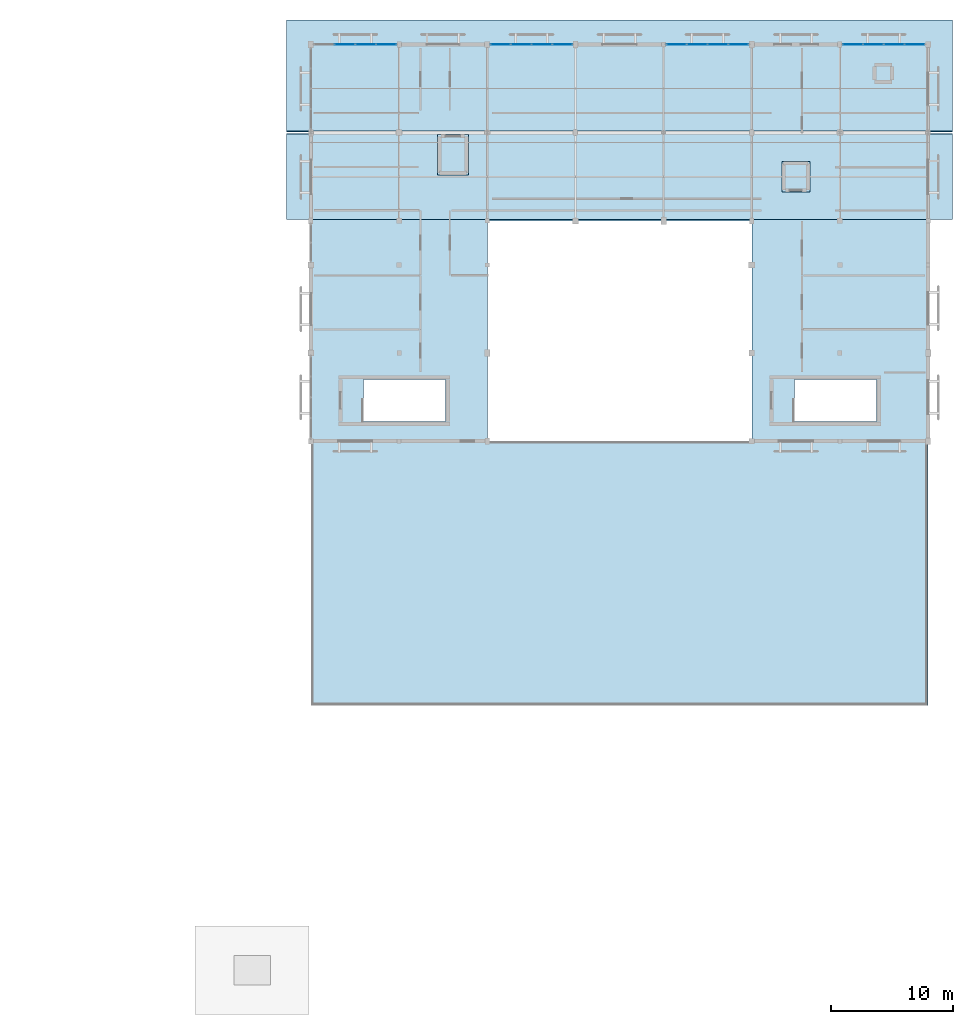
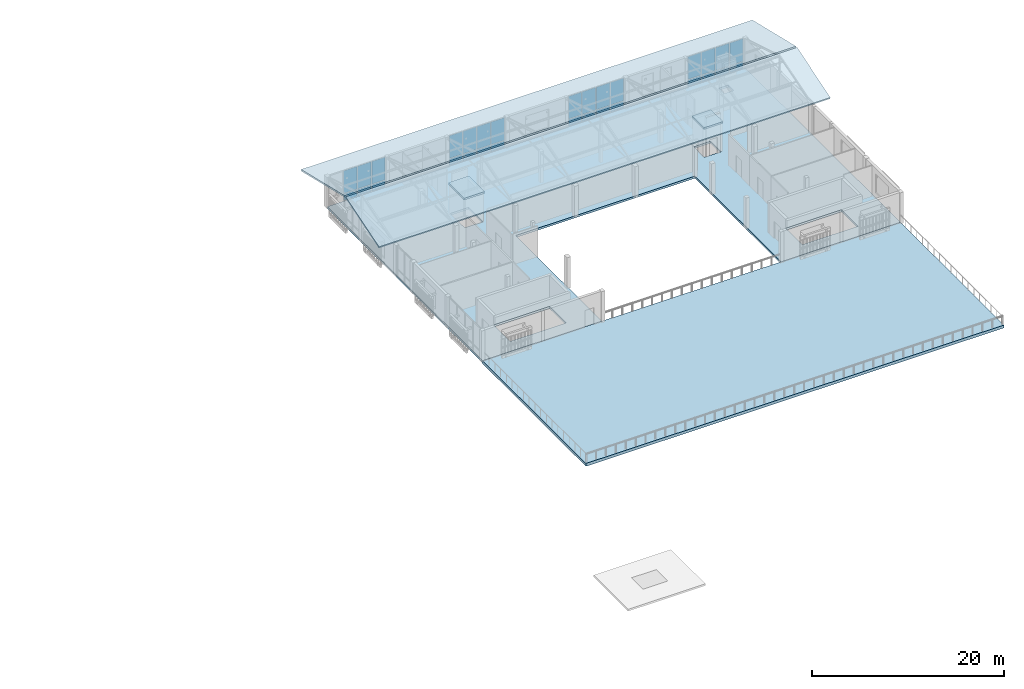
# One storey, part 44 of 61: 30 plates, 6 slabs, 4 elements without a shape of their own.
"""IFC4 building model written with IfcOpenShell, lengths in metres."""

from ifc_helpers import new_model, si_unit, direction, frame, origin, origin_2d, place, context, subcontext, project, spatial, polyline, rectangle, outline, extrude, material, layer, layer_set, type_object, element, aggregate, save


model = new_model("IFC4")

# Units and contexts
model_context = context("Model", 3, precision=1e-05, world=origin(), true_north=direction((0.0, 1.0)))
body_context = subcontext(model_context, "Body", "Model", "MODEL_VIEW")
ifc_project = project(units=[si_unit("LENGTHUNIT", "METRE"), si_unit("AREAUNIT", "SQUARE_METRE"), si_unit("VOLUMEUNIT", "CUBIC_METRE"), si_unit("PLANEANGLEUNIT", "RADIAN"), si_unit("MASSUNIT", "GRAM", prefix="KILO")], contexts=[model_context])

# Site, building, storey
site_placement = place(None, origin())
site = spatial("IfcSite", under=ifc_project, at=site_placement, CompositionType="ELEMENT")
building_placement = place(site_placement, origin())
building = spatial("IfcBuilding", under=site, at=building_placement, Name="Mazaris Harbour Polytechnic", CompositionType="ELEMENT")
storey_placement = place(building_placement, frame((0.0, 0.0, 18.0)))
storey = spatial("IfcBuildingStorey", under=building, at=storey_placement, Name="L04", CompositionType="ELEMENT", Elevation=18.0)

# Slabs
ifc_material_1 = material(Name="Glulam GL28h and Concrete C30/37", Category="concrete")
ifc_layer_1 = layer(ifc_material_1, 0.264892578125, Name="Glulam GL28h and Concrete C30/37")
ifc_layer_set_1 = layer_set([ifc_layer_1], Name="Glulam GL28h and Concrete C30/37")
slab_type_1 = type_object("IfcSlabType", Name="CLT Composite Floor 265", PredefinedType="FLOOR", material=ifc_layer_set_1)
slab_1_placement = place(storey_placement, frame((0.0, 0.0, -0.264892578125)))
element("IfcSlab", 1, at=slab_1_placement, inside=storey, type_object=slab_type_1, Name="V5 L04 Floor Slab", PredefinedType="FLOOR", context=body_context, shape_type="SweptSolid", body=[
    extrude(outline(polyline([(158.39990234375, 86.39990234375), (136.800048828125, 86.39990234375), (136.800048828125, 68.39990234375), (122.39990234375, 68.39990234375), (122.39990234375, 100.800048828125), (172.800048828125, 100.800048828125), (172.800048828125, 68.39990234375), (158.39990234375, 68.39990234375), (158.39990234375, 86.39990234375)]), holes=[polyline([(133.39990234375, 73.449951171875), (126.675048828125, 73.449951171875), (126.675048828125, 70.0), (133.39990234375, 70.0), (133.39990234375, 73.449951171875)]), polyline([(168.60009765625, 70.0), (168.60009765625, 73.449951171875), (161.875, 73.449951171875), (161.875, 70.0), (168.60009765625, 70.0)]), polyline([(132.89990234375, 90.300048828125), (135.10009765625, 90.300048828125), (135.10009765625, 93.300048828125), (132.89990234375, 93.300048828125), (132.89990234375, 90.300048828125)]), polyline([(161.0, 91.10009765625), (161.0, 88.89990234375), (163.0, 88.89990234375), (163.0, 91.10009765625), (161.0, 91.10009765625)]), polyline([(169.699951171875, 99.0), (168.580078125, 99.0), (168.580078125, 97.8798828125), (169.699951171875, 97.8798828125), (169.699951171875, 99.0)])]), origin(), (0.0, 0.0, 1.0), 0.264892578125),
])
ifc_material_2 = material(Name="Glulam GL28h and Concrete C30/37", Category="concrete")
ifc_layer_2 = layer(ifc_material_2, 0.239990234375, Name="Glulam GL28h and Concrete C30/37")
ifc_layer_set_2 = layer_set([ifc_layer_2], Name="Glulam GL28h and Concrete C30/37")
slab_type_2 = type_object("IfcSlabType", Name="Insulated Flat Roof Slab 240", PredefinedType="ROOF", material=ifc_layer_set_2)
slab_2_placement = place(storey_placement, frame((0.0, 0.0, 3.639892578125)))
element("IfcSlab", 2, at=slab_2_placement, inside=storey, type_object=slab_type_2, Name="Lift LF-02 Overrun Roof Cap", PredefinedType="ROOF", context=body_context, shape_type="SweptSolid", body=[
    extrude(outline(polyline([(135.25, 90.14990234375), (135.25, 93.449951171875), (132.75, 93.449951171875), (132.75, 90.14990234375), (135.25, 90.14990234375)])), origin(), (0.0, 0.0, 1.0), 0.239990234375),
])
slab_3_placement = place(storey_placement, frame((0.0, 0.0, 3.639892578125)))
element("IfcSlab", 3, at=slab_3_placement, inside=storey, type_object=slab_type_2, Name="Lift LP-04 Overrun Roof Cap", PredefinedType="ROOF", context=body_context, shape_type="SweptSolid", body=[
    extrude(outline(polyline([(163.14990234375, 88.75), (163.14990234375, 91.25), (160.85009765625, 91.25), (160.85009765625, 88.75), (163.14990234375, 88.75)])), origin(), (0.0, 0.0, 1.0), 0.239990234375),
])
ifc_material_3 = material(Name="Glulam GL28h", Category="wood")
ifc_layer_3 = layer(ifc_material_3, 0.205078125, Name="Glulam GL28h")
ifc_layer_set_3 = layer_set([ifc_layer_3], Name="Glulam GL28h")
slab_type_3 = type_object("IfcSlabType", Name="Pavilion Pitched Roof Deck 205", PredefinedType="ROOF", material=ifc_layer_set_3)
slab_4_placement = place(storey_placement, frame((120.39990234375, 86.52001953125, 4.219970703125), z_axis=(0.0, -0.296389731182, 0.955067079974), x_axis=(1.0, 0.0, 0.0)))
element("IfcSlab", 4, at=slab_4_placement, inside=storey, type_object=slab_type_3, Name="V5 Studio North-Light South Slope", PredefinedType="ROOF", context=body_context, shape_type="SweptSolid", body=[
    extrude(outline(polyline([(0.0, 0.0), (54.400146484375, 0.0), (54.400146484375, 7.2874053387848985), (0.0, 7.2874053387848985), (0.0, 0.0)])), origin(), (0.0, 0.0, -1.0), 0.205078125),
])
slab_5_placement = place(storey_placement, frame((120.39990234375, 93.719970703125, 6.3798828125), z_axis=(0.0, 0.231416593705, 0.972854747718), x_axis=(1.0, 0.0, 0.0)))
element("IfcSlab", 5, at=slab_5_placement, inside=storey, type_object=slab_type_3, Name="V5 Studio North-Light North Slope", PredefinedType="ROOF", context=body_context, shape_type="SweptSolid", body=[
    extrude(outline(polyline([(0.0, 0.0), (54.400146484375, 0.0), (54.400146484375, 9.333436616612783), (0.0, 9.333436616612783), (0.0, 0.0)])), origin(), (0.0, 0.0, -1.0), 0.205078125),
])
ifc_material_4 = material(Name="Concrete C35/45", Category="concrete")
ifc_layer_4 = layer(ifc_material_4, 0.364990234375, Name="Concrete C35/45")
ifc_layer_set_4 = layer_set([ifc_layer_4], Name="Concrete C35/45")
slab_type_4 = type_object("IfcSlabType", Name="Planted Roof Garden Deck 365", PredefinedType="FLOOR", material=ifc_layer_set_4)
slab_6_placement = place(storey_placement, frame((0.0, 0.0, -0.364990234375)))
element("IfcSlab", 6, at=slab_6_placement, inside=storey, type_object=slab_type_4, Name="V5 L04 Planted Roof Garden Slab", PredefinedType="FLOOR", context=body_context, shape_type="SweptSolid", body=[
    extrude(outline(polyline([(172.800048828125, 46.800048828125), (172.800048828125, 68.39990234375), (122.39990234375, 68.39990234375), (122.39990234375, 46.800048828125), (172.800048828125, 46.800048828125)])), origin(), (0.0, 0.0, 1.0), 0.364990234375),
])

# Curtain wall, plates
ifc_material_5 = material(Name="Anodised Bronze Aluminium and Low-E Glass", Category="aluminium")
ifc_layer_5 = layer(ifc_material_5, 0.169921875, Name="Anodised Bronze Aluminium and Low-E Glass")
ifc_layer_set_5 = layer_set([ifc_layer_5], Name="Anodised Bronze Aluminium and Low-E Glass")
curtain_wall_type = type_object("IfcCurtainWallType", Name="Studio North-Light Curtain Wall", PredefinedType="NOTDEFINED", material=ifc_layer_set_5)
curtain_wall_1_placement = place(storey_placement, origin())
curtain_wall_1 = element("IfcCurtainWall", 7, at=curtain_wall_1_placement, inside=storey, type_object=curtain_wall_type, Name="V5 L04 Curtain Wall 271", PredefinedType="NOTDEFINED")
ifc_material_6 = material(Name="Solar-Control Low-E Glazing", Category="glass")
ifc_layer_6 = layer(ifc_material_6, 0.031982421875, Name="Solar-Control Low-E Glazing")
ifc_layer_set_6 = layer_set([ifc_layer_6], Name="Solar-Control Low-E Glazing")
plate_type = type_object("IfcPlateType", Name="Solar Control Studio Glass Panel 32", PredefinedType="CURTAIN_PANEL", material=ifc_layer_set_6)
plate_1_placement = place(storey_placement, frame((125.16796875, 100.800048828125, 0.080078125), z_axis=(0.0, 0.0, 1.0), x_axis=(1.0, 0.0, 0.0)))
plate_1 = element("IfcPlate", 8, at=plate_1_placement, type_object=plate_type, Name="CW-03 panel 2.1", PredefinedType="CURTAIN_PANEL", context=body_context, shape_type="SweptSolid", body=[
    extrude(rectangle(XDim=1.6240234375, YDim=0.031982421875, at=origin_2d()), origin(), (0.0, 0.0, 1.0), 0.830078125),
])
plate_2_placement = place(storey_placement, frame((125.16796875, 100.800048828125, 0.990234375), z_axis=(0.0, 0.0, 1.0), x_axis=(1.0, 0.0, 0.0)))
plate_2 = element("IfcPlate", 9, at=plate_2_placement, type_object=plate_type, Name="CW-03 panel 2.2", PredefinedType="CURTAIN_PANEL", context=body_context, shape_type="SweptSolid", body=[
    extrude(rectangle(XDim=1.6240234375, YDim=0.031982421875, at=origin_2d()), origin(), (0.0, 0.0, 1.0), 2.889892578125),
])
plate_3_placement = place(storey_placement, frame((126.8720703125, 100.800048828125, 0.080078125), z_axis=(0.0, 0.0, 1.0), x_axis=(1.0, 0.0, 0.0)))
plate_3 = element("IfcPlate", 10, at=plate_3_placement, type_object=plate_type, Name="CW-03 panel 3.1", PredefinedType="CURTAIN_PANEL", context=body_context, shape_type="SweptSolid", body=[
    extrude(rectangle(XDim=1.6240234375, YDim=0.031982421875, at=origin_2d()), origin(), (0.0, 0.0, 1.0), 0.830078125),
])
plate_4_placement = place(storey_placement, frame((126.8720703125, 100.800048828125, 0.990234375), z_axis=(0.0, 0.0, 1.0), x_axis=(1.0, 0.0, 0.0)))
plate_4 = element("IfcPlate", 11, at=plate_4_placement, type_object=plate_type, Name="CW-03 panel 3.2", PredefinedType="CURTAIN_PANEL", context=body_context, shape_type="SweptSolid", body=[
    extrude(rectangle(XDim=1.6240234375, YDim=0.031982421875, at=origin_2d()), origin(), (0.0, 0.0, 1.0), 2.889892578125),
])
plate_5_placement = place(storey_placement, frame((128.555908203125, 100.800048828125, 0.080078125), z_axis=(0.0, 0.0, 1.0), x_axis=(1.0, 0.0, 0.0)))
plate_5 = element("IfcPlate", 12, at=plate_5_placement, type_object=plate_type, Name="CW-03 panel 4.1", PredefinedType="CURTAIN_PANEL", context=body_context, shape_type="SweptSolid", body=[
    extrude(rectangle(XDim=1.583984375, YDim=0.031982421875, at=origin_2d()), origin(), (0.0, 0.0, 1.0), 0.830078125),
])
plate_6_placement = place(storey_placement, frame((128.555908203125, 100.800048828125, 0.990234375), z_axis=(0.0, 0.0, 1.0), x_axis=(1.0, 0.0, 0.0)))
plate_6 = element("IfcPlate", 13, at=plate_6_placement, type_object=plate_type, Name="CW-03 panel 4.2", PredefinedType="CURTAIN_PANEL", context=body_context, shape_type="SweptSolid", body=[
    extrude(rectangle(XDim=1.583984375, YDim=0.031982421875, at=origin_2d()), origin(), (0.0, 0.0, 1.0), 2.889892578125),
])
aggregate(curtain_wall_1, [plate_1, plate_2, plate_3, plate_4, plate_5, plate_6])

curtain_wall_2_placement = place(storey_placement, origin())
curtain_wall_2 = element("IfcCurtainWall", 14, at=curtain_wall_2_placement, inside=storey, type_object=curtain_wall_type, Name="V5 L04 Curtain Wall 272", PredefinedType="NOTDEFINED")
plate_7_placement = place(storey_placement, frame((137.89013671875, 100.800048828125, 0.080078125), z_axis=(0.0, 0.0, 1.0), x_axis=(1.0, 0.0, 0.0)))
plate_7 = element("IfcPlate", 15, at=plate_7_placement, type_object=plate_type, Name="CW-03 panel 1.1", PredefinedType="CURTAIN_PANEL", context=body_context, shape_type="SweptSolid", body=[
    extrude(rectangle(XDim=1.576416015625, YDim=0.031982421875, at=origin_2d()), origin(), (0.0, 0.0, 1.0), 0.830078125),
])
plate_8_placement = place(storey_placement, frame((137.89013671875, 100.800048828125, 0.990234375), z_axis=(0.0, 0.0, 1.0), x_axis=(1.0, 0.0, 0.0)))
plate_8 = element("IfcPlate", 16, at=plate_8_placement, type_object=plate_type, Name="CW-03 panel 1.2", PredefinedType="CURTAIN_PANEL", context=body_context, shape_type="SweptSolid", body=[
    extrude(rectangle(XDim=1.576416015625, YDim=0.031982421875, at=origin_2d()), origin(), (0.0, 0.0, 1.0), 2.889892578125),
])
plate_9_placement = place(storey_placement, frame((139.566650390625, 100.800048828125, 0.080078125), z_axis=(0.0, 0.0, 1.0), x_axis=(1.0, 0.0, 0.0)))
plate_9 = element("IfcPlate", 17, at=plate_9_placement, type_object=plate_type, Name="CW-03 panel 2.1", PredefinedType="CURTAIN_PANEL", context=body_context, shape_type="SweptSolid", body=[
    extrude(rectangle(XDim=1.616455078125, YDim=0.031982421875, at=origin_2d()), origin(), (0.0, 0.0, 1.0), 0.830078125),
])
plate_10_placement = place(storey_placement, frame((139.566650390625, 100.800048828125, 0.990234375), z_axis=(0.0, 0.0, 1.0), x_axis=(1.0, 0.0, 0.0)))
plate_10 = element("IfcPlate", 18, at=plate_10_placement, type_object=plate_type, Name="CW-03 panel 2.2", PredefinedType="CURTAIN_PANEL", context=body_context, shape_type="SweptSolid", body=[
    extrude(rectangle(XDim=1.616455078125, YDim=0.031982421875, at=origin_2d()), origin(), (0.0, 0.0, 1.0), 2.889892578125),
])
plate_11_placement = place(storey_placement, frame((141.26318359375, 100.800048828125, 0.080078125), z_axis=(0.0, 0.0, 1.0), x_axis=(1.0, 0.0, 0.0)))
plate_11 = element("IfcPlate", 19, at=plate_11_placement, type_object=plate_type, Name="CW-03 panel 3.1", PredefinedType="CURTAIN_PANEL", context=body_context, shape_type="SweptSolid", body=[
    extrude(rectangle(XDim=1.616455078125, YDim=0.031982421875, at=origin_2d()), origin(), (0.0, 0.0, 1.0), 0.830078125),
])
plate_12_placement = place(storey_placement, frame((141.26318359375, 100.800048828125, 0.990234375), z_axis=(0.0, 0.0, 1.0), x_axis=(1.0, 0.0, 0.0)))
plate_12 = element("IfcPlate", 20, at=plate_12_placement, type_object=plate_type, Name="CW-03 panel 3.2", PredefinedType="CURTAIN_PANEL", context=body_context, shape_type="SweptSolid", body=[
    extrude(rectangle(XDim=1.616455078125, YDim=0.031982421875, at=origin_2d()), origin(), (0.0, 0.0, 1.0), 2.889892578125),
])
plate_13_placement = place(storey_placement, frame((142.939697265625, 100.800048828125, 0.080078125), z_axis=(0.0, 0.0, 1.0), x_axis=(1.0, 0.0, 0.0)))
plate_13 = element("IfcPlate", 21, at=plate_13_placement, type_object=plate_type, Name="CW-03 panel 4.1", PredefinedType="CURTAIN_PANEL", context=body_context, shape_type="SweptSolid", body=[
    extrude(rectangle(XDim=1.576416015625, YDim=0.031982421875, at=origin_2d()), origin(), (0.0, 0.0, 1.0), 0.830078125),
])
plate_14_placement = place(storey_placement, frame((142.939697265625, 100.800048828125, 0.990234375), z_axis=(0.0, 0.0, 1.0), x_axis=(1.0, 0.0, 0.0)))
plate_14 = element("IfcPlate", 22, at=plate_14_placement, type_object=plate_type, Name="CW-03 panel 4.2", PredefinedType="CURTAIN_PANEL", context=body_context, shape_type="SweptSolid", body=[
    extrude(rectangle(XDim=1.576416015625, YDim=0.031982421875, at=origin_2d()), origin(), (0.0, 0.0, 1.0), 2.889892578125),
])
aggregate(curtain_wall_2, [plate_7, plate_8, plate_9, plate_10, plate_11, plate_12, plate_13, plate_14])

curtain_wall_3_placement = place(storey_placement, origin())
curtain_wall_3 = element("IfcCurtainWall", 23, at=curtain_wall_3_placement, inside=storey, type_object=curtain_wall_type, Name="V5 L04 Curtain Wall 273", PredefinedType="NOTDEFINED")
plate_15_placement = place(storey_placement, frame((152.252685546875, 100.800048828125, 0.080078125), z_axis=(0.0, 0.0, 1.0), x_axis=(1.0, 0.0, 0.0)))
plate_15 = element("IfcPlate", 24, at=plate_15_placement, type_object=plate_type, Name="CW-03 panel 1.1", PredefinedType="CURTAIN_PANEL", context=body_context, shape_type="SweptSolid", body=[
    extrude(rectangle(XDim=1.58154296875, YDim=0.031982421875, at=origin_2d()), origin(), (0.0, 0.0, 1.0), 0.830078125),
])
plate_16_placement = place(storey_placement, frame((152.252685546875, 100.800048828125, 0.990234375), z_axis=(0.0, 0.0, 1.0), x_axis=(1.0, 0.0, 0.0)))
plate_16 = element("IfcPlate", 25, at=plate_16_placement, type_object=plate_type, Name="CW-03 panel 1.2", PredefinedType="CURTAIN_PANEL", context=body_context, shape_type="SweptSolid", body=[
    extrude(rectangle(XDim=1.58154296875, YDim=0.031982421875, at=origin_2d()), origin(), (0.0, 0.0, 1.0), 2.889892578125),
])
plate_17_placement = place(storey_placement, frame((153.934326171875, 100.800048828125, 0.080078125), z_axis=(0.0, 0.0, 1.0), x_axis=(1.0, 0.0, 0.0)))
plate_17 = element("IfcPlate", 26, at=plate_17_placement, type_object=plate_type, Name="CW-03 panel 2.1", PredefinedType="CURTAIN_PANEL", context=body_context, shape_type="SweptSolid", body=[
    extrude(rectangle(XDim=1.62158203125, YDim=0.031982421875, at=origin_2d()), origin(), (0.0, 0.0, 1.0), 0.830078125),
])
plate_18_placement = place(storey_placement, frame((153.934326171875, 100.800048828125, 0.990234375), z_axis=(0.0, 0.0, 1.0), x_axis=(1.0, 0.0, 0.0)))
plate_18 = element("IfcPlate", 27, at=plate_18_placement, type_object=plate_type, Name="CW-03 panel 2.2", PredefinedType="CURTAIN_PANEL", context=body_context, shape_type="SweptSolid", body=[
    extrude(rectangle(XDim=1.62158203125, YDim=0.031982421875, at=origin_2d()), origin(), (0.0, 0.0, 1.0), 2.889892578125),
])
plate_19_placement = place(storey_placement, frame((155.6357421875, 100.800048828125, 0.080078125), z_axis=(0.0, 0.0, 1.0), x_axis=(1.0, 0.0, 0.0)))
plate_19 = element("IfcPlate", 28, at=plate_19_placement, type_object=plate_type, Name="CW-03 panel 3.1", PredefinedType="CURTAIN_PANEL", context=body_context, shape_type="SweptSolid", body=[
    extrude(rectangle(XDim=1.62158203125, YDim=0.031982421875, at=origin_2d()), origin(), (0.0, 0.0, 1.0), 0.830078125),
])
plate_20_placement = place(storey_placement, frame((155.6357421875, 100.800048828125, 0.990234375), z_axis=(0.0, 0.0, 1.0), x_axis=(1.0, 0.0, 0.0)))
plate_20 = element("IfcPlate", 29, at=plate_20_placement, type_object=plate_type, Name="CW-03 panel 3.2", PredefinedType="CURTAIN_PANEL", context=body_context, shape_type="SweptSolid", body=[
    extrude(rectangle(XDim=1.62158203125, YDim=0.031982421875, at=origin_2d()), origin(), (0.0, 0.0, 1.0), 2.889892578125),
])
plate_21_placement = place(storey_placement, frame((157.317138671875, 100.800048828125, 0.080078125), z_axis=(0.0, 0.0, 1.0), x_axis=(1.0, 0.0, 0.0)))
plate_21 = element("IfcPlate", 30, at=plate_21_placement, type_object=plate_type, Name="CW-03 panel 4.1", PredefinedType="CURTAIN_PANEL", context=body_context, shape_type="SweptSolid", body=[
    extrude(rectangle(XDim=1.58154296875, YDim=0.031982421875, at=origin_2d()), origin(), (0.0, 0.0, 1.0), 0.830078125),
])
plate_22_placement = place(storey_placement, frame((157.317138671875, 100.800048828125, 0.990234375), z_axis=(0.0, 0.0, 1.0), x_axis=(1.0, 0.0, 0.0)))
plate_22 = element("IfcPlate", 31, at=plate_22_placement, type_object=plate_type, Name="CW-03 panel 4.2", PredefinedType="CURTAIN_PANEL", context=body_context, shape_type="SweptSolid", body=[
    extrude(rectangle(XDim=1.58154296875, YDim=0.031982421875, at=origin_2d()), origin(), (0.0, 0.0, 1.0), 2.889892578125),
])
aggregate(curtain_wall_3, [plate_15, plate_16, plate_17, plate_18, plate_19, plate_20, plate_21, plate_22])

curtain_wall_4_placement = place(storey_placement, origin())
curtain_wall_4 = element("IfcCurtainWall", 32, at=curtain_wall_4_placement, inside=storey, type_object=curtain_wall_type, Name="V5 L04 Curtain Wall 274", PredefinedType="NOTDEFINED")
plate_23_placement = place(storey_placement, frame((166.642822265625, 100.800048828125, 0.080078125), z_axis=(0.0, 0.0, 1.0), x_axis=(1.0, 0.0, 0.0)))
plate_23 = element("IfcPlate", 33, at=plate_23_placement, type_object=plate_type, Name="CW-03 panel 1.1", PredefinedType="CURTAIN_PANEL", context=body_context, shape_type="SweptSolid", body=[
    extrude(rectangle(XDim=1.58154296875, YDim=0.031982421875, at=origin_2d()), origin(), (0.0, 0.0, 1.0), 0.830078125),
])
plate_24_placement = place(storey_placement, frame((166.642822265625, 100.800048828125, 0.990234375), z_axis=(0.0, 0.0, 1.0), x_axis=(1.0, 0.0, 0.0)))
plate_24 = element("IfcPlate", 34, at=plate_24_placement, type_object=plate_type, Name="CW-03 panel 1.2", PredefinedType="CURTAIN_PANEL", context=body_context, shape_type="SweptSolid", body=[
    extrude(rectangle(XDim=1.58154296875, YDim=0.031982421875, at=origin_2d()), origin(), (0.0, 0.0, 1.0), 2.889892578125),
])
plate_25_placement = place(storey_placement, frame((168.32421875, 100.800048828125, 0.080078125), z_axis=(0.0, 0.0, 1.0), x_axis=(1.0, 0.0, 0.0)))
plate_25 = element("IfcPlate", 35, at=plate_25_placement, type_object=plate_type, Name="CW-03 panel 2.1", PredefinedType="CURTAIN_PANEL", context=body_context, shape_type="SweptSolid", body=[
    extrude(rectangle(XDim=1.62158203125, YDim=0.031982421875, at=origin_2d()), origin(), (0.0, 0.0, 1.0), 0.830078125),
])
plate_26_placement = place(storey_placement, frame((168.32421875, 100.800048828125, 0.990234375), z_axis=(0.0, 0.0, 1.0), x_axis=(1.0, 0.0, 0.0)))
plate_26 = element("IfcPlate", 36, at=plate_26_placement, type_object=plate_type, Name="CW-03 panel 2.2", PredefinedType="CURTAIN_PANEL", context=body_context, shape_type="SweptSolid", body=[
    extrude(rectangle(XDim=1.62158203125, YDim=0.031982421875, at=origin_2d()), origin(), (0.0, 0.0, 1.0), 2.889892578125),
])
plate_27_placement = place(storey_placement, frame((170.025634765625, 100.800048828125, 0.080078125), z_axis=(0.0, 0.0, 1.0), x_axis=(1.0, 0.0, 0.0)))
plate_27 = element("IfcPlate", 37, at=plate_27_placement, type_object=plate_type, Name="CW-03 panel 3.1", PredefinedType="CURTAIN_PANEL", context=body_context, shape_type="SweptSolid", body=[
    extrude(rectangle(XDim=1.62158203125, YDim=0.031982421875, at=origin_2d()), origin(), (0.0, 0.0, 1.0), 0.830078125),
])
plate_28_placement = place(storey_placement, frame((170.025634765625, 100.800048828125, 0.990234375), z_axis=(0.0, 0.0, 1.0), x_axis=(1.0, 0.0, 0.0)))
plate_28 = element("IfcPlate", 38, at=plate_28_placement, type_object=plate_type, Name="CW-03 panel 3.2", PredefinedType="CURTAIN_PANEL", context=body_context, shape_type="SweptSolid", body=[
    extrude(rectangle(XDim=1.62158203125, YDim=0.031982421875, at=origin_2d()), origin(), (0.0, 0.0, 1.0), 2.889892578125),
])
plate_29_placement = place(storey_placement, frame((171.707275390625, 100.800048828125, 0.080078125), z_axis=(0.0, 0.0, 1.0), x_axis=(1.0, 0.0, 0.0)))
plate_29 = element("IfcPlate", 39, at=plate_29_placement, type_object=plate_type, Name="CW-03 panel 4.1", PredefinedType="CURTAIN_PANEL", context=body_context, shape_type="SweptSolid", body=[
    extrude(rectangle(XDim=1.58154296875, YDim=0.031982421875, at=origin_2d()), origin(), (0.0, 0.0, 1.0), 0.830078125),
])
plate_30_placement = place(storey_placement, frame((171.707275390625, 100.800048828125, 0.990234375), z_axis=(0.0, 0.0, 1.0), x_axis=(1.0, 0.0, 0.0)))
plate_30 = element("IfcPlate", 40, at=plate_30_placement, type_object=plate_type, Name="CW-03 panel 4.2", PredefinedType="CURTAIN_PANEL", context=body_context, shape_type="SweptSolid", body=[
    extrude(rectangle(XDim=1.58154296875, YDim=0.031982421875, at=origin_2d()), origin(), (0.0, 0.0, 1.0), 2.889892578125),
])
aggregate(curtain_wall_4, [plate_23, plate_24, plate_25, plate_26, plate_27, plate_28, plate_29, plate_30])

save(model, "model.ifc")
